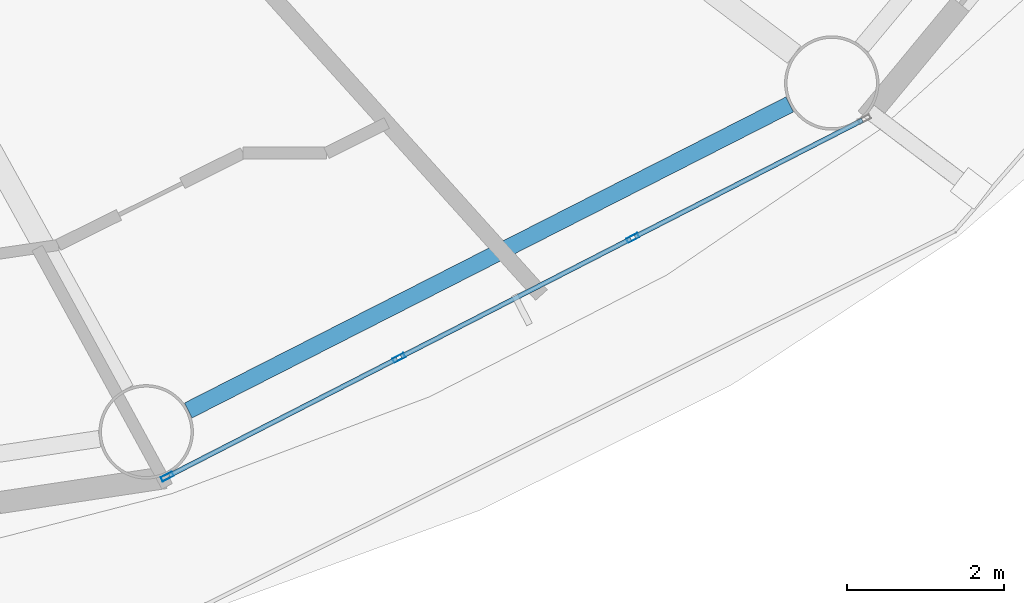
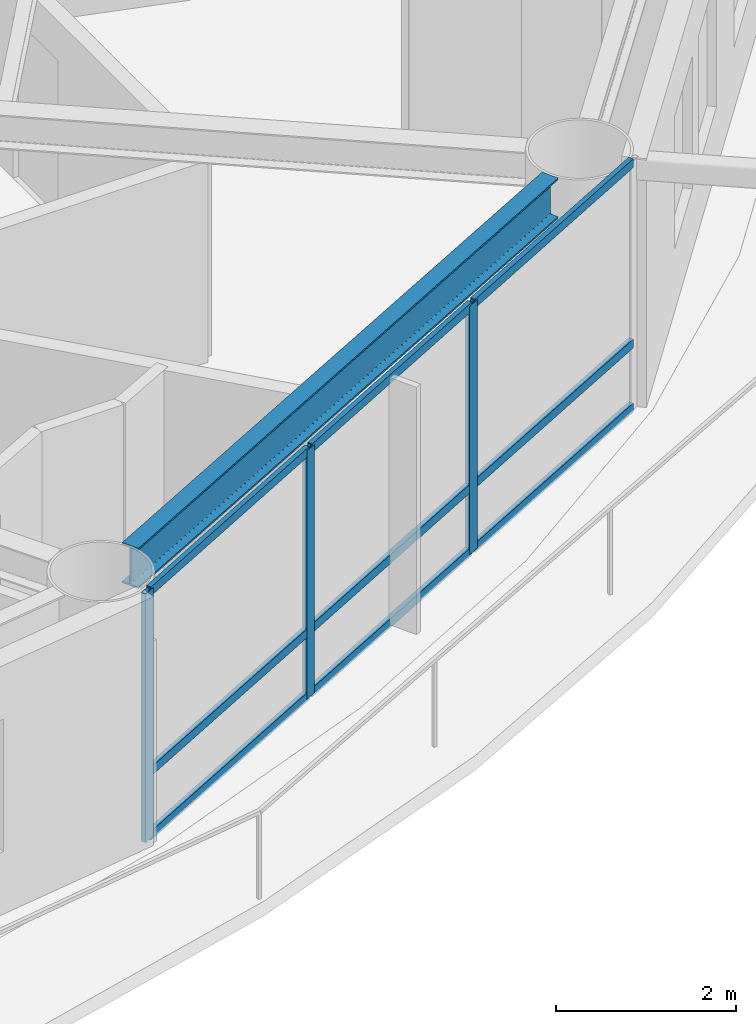
# One storey, part 5 of 27: 12 members, 1 beam, 1 element without a shape of its own.
"""IFC4 building model written with IfcOpenShell, lengths in metres."""

from ifc_helpers import new_model, si_unit, direction, frame, origin, origin_2d, place, context, subcontext, project, spatial, hollow_rectangle, i_section, extrude, material, layer, layer_set, material_profile, profile_set, type_object, element, aggregate, save


model = new_model("IFC4")

# Units and contexts
model_context = context("Model", 3, precision=1e-05, world=origin(), true_north=direction((0.0, 1.0)))
body_context = subcontext(model_context, "Body", "Model", "MODEL_VIEW")
ifc_project = project(units=[si_unit("LENGTHUNIT", "METRE"), si_unit("AREAUNIT", "SQUARE_METRE"), si_unit("VOLUMEUNIT", "CUBIC_METRE"), si_unit("PLANEANGLEUNIT", "RADIAN"), si_unit("MASSUNIT", "GRAM", prefix="KILO")], contexts=[model_context])

# Site, building, storey
site_placement = place(None, origin())
site = spatial("IfcSite", under=ifc_project, at=site_placement, CompositionType="ELEMENT")
building_placement = place(site_placement, origin())
building = spatial("IfcBuilding", under=site, at=building_placement, Name="Sarneth Arch Tower", CompositionType="ELEMENT")
storey_placement = place(building_placement, frame((0.0, 0.0, 186.60009765625)))
storey = spatial("IfcBuildingStorey", under=building, at=storey_placement, Name="L47", CompositionType="ELEMENT", Elevation=186.60009765625)

# Beam
ifc_material_1 = material(Name="Steel S355", Category="steel")
ifc_material_profile_1 = material_profile(ifc_material_1, i_section(OverallWidth=0.214111328125, OverallDepth=0.549072265625, WebThickness=0.0146484375, FlangeThickness=0.023681640625, FilletRadius=0.01806640625, at=origin_2d()), Name="W530x138")
ifc_profile_set_1 = profile_set([ifc_material_profile_1], Name="Steel S355")
beam_type = type_object("IfcBeamType", Name="BM-RAD-530A", PredefinedType="BEAM", material=ifc_profile_set_1)
beam_placement = place(storey_placement, frame((58.95654296875, 23.378662109375, 3.10546875), z_axis=(0.891250372735, 0.453511601945, 0.0), x_axis=(-0.453511601945, 0.891250372735, 0.0)))
element("IfcBeam", 1, at=beam_placement, inside=storey, type_object=beam_type, Name="L47 Perimeter spandrel beam 14", PredefinedType="BEAM", context=body_context, shape_type="SweptSolid", body=[
    extrude(i_section(OverallWidth=0.214111328125, OverallDepth=0.549072265625, WebThickness=0.0146484375, FlangeThickness=0.023681640625, FilletRadius=0.01806640625, at=origin_2d()), origin(), (0.0, 0.0, 1.0), 8.5751953125),
])

# Curtain wall, members
ifc_material_2 = material(Name="Anodised aluminium Type AA25 and solar-control low-e laminated IGU", Category="aluminium")
ifc_layer = layer(ifc_material_2, 0.169921875)
ifc_layer_set = layer_set([ifc_layer], Name="Anodised aluminium Type AA25 and solar-control low-e laminated IGU")
curtain_wall_type = type_object("IfcCurtainWallType", Name="CW-RES-MID", PredefinedType="NOTDEFINED", material=ifc_layer_set)
curtain_wall_placement = place(storey_placement, origin())
curtain_wall = element("IfcCurtainWall", 2, at=curtain_wall_placement, inside=storey, type_object=curtain_wall_type, Name="L47 Unitised curtain wall facet 14", PredefinedType="NOTDEFINED")
ifc_material_3 = material(Name="Anodised Aluminium 6063-T6", Category="aluminium")
ifc_material_profile_2 = material_profile(ifc_material_3, hollow_rectangle(XDim=0.06005859375, YDim=0.159912109375, WallThickness=0.00390625, at=origin_2d()), Name="AL-MULL-160x60x4")
ifc_profile_set_2 = profile_set([ifc_material_profile_2], Name="Anodised Aluminium 6063-T6")
member_type_1 = type_object("IfcMemberType", Name="CW-MULLION", PredefinedType="MULLION", material=ifc_profile_set_2)
member_1_placement = place(storey_placement, frame((58.689453125, 22.538330078125, 0.0), z_axis=(0.0, 0.0, 1.0), x_axis=(-0.456208470329, 0.88987293003, 0.0)))
member_1 = element("IfcMember", 3, at=member_1_placement, type_object=member_type_1, Name="CW-SYS-5 mullion 1", PredefinedType="MULLION", context=body_context, shape_type="SweptSolid", body=[
    extrude(hollow_rectangle(XDim=0.06005859375, YDim=0.159912109375, WallThickness=0.00390625, at=origin_2d()), origin(), (0.0, 0.0, 1.0), 3.3798828125),
])
member_2_placement = place(storey_placement, frame((61.634033203125, 24.0478515625, 0.0), z_axis=(0.0, 0.0, 1.0), x_axis=(-0.456208470329, 0.88987293003, 0.0)))
member_2 = element("IfcMember", 4, at=member_2_placement, type_object=member_type_1, Name="CW-SYS-5 mullion 2", PredefinedType="MULLION", context=body_context, shape_type="SweptSolid", body=[
    extrude(hollow_rectangle(XDim=0.06005859375, YDim=0.159912109375, WallThickness=0.00390625, at=origin_2d()), origin(), (0.0, 0.0, 1.0), 3.3798828125),
])
member_3_placement = place(storey_placement, frame((64.60498046875, 25.571044921875, 0.0), z_axis=(0.0, 0.0, 1.0), x_axis=(-0.456208470329, 0.88987293003, 0.0)))
member_3 = element("IfcMember", 5, at=member_3_placement, type_object=member_type_1, Name="CW-SYS-5 mullion 3", PredefinedType="MULLION", context=body_context, shape_type="SweptSolid", body=[
    extrude(hollow_rectangle(XDim=0.06005859375, YDim=0.159912109375, WallThickness=0.00390625, at=origin_2d()), origin(), (0.0, 0.0, 1.0), 3.3798828125),
])
ifc_material_4 = material(Name="Anodised Aluminium 6063-T6", Category="aluminium")
ifc_material_profile_3 = material_profile(ifc_material_4, hollow_rectangle(XDim=0.06005859375, YDim=0.1201171875, WallThickness=0.00390625, at=origin_2d()), Name="AL-TRAN-120x60x4")
ifc_profile_set_3 = profile_set([ifc_material_profile_3], Name="Anodised Aluminium 6063-T6")
member_type_2 = type_object("IfcMemberType", Name="CW-TRANSOM", PredefinedType="USERDEFINED", material=ifc_profile_set_3)
member_4_placement = place(storey_placement, frame((58.71630859375, 22.552001953125, 0.02978515625), z_axis=(0.889857362344, 0.456238835131, 0.0), x_axis=(-0.456238835131, 0.889857362344, 0.0)))
member_4 = element("IfcMember", 6, at=member_4_placement, type_object=member_type_2, Name="CW-SYS-5 transom 1.1", ObjectType="TRANSOM", PredefinedType="USERDEFINED", context=body_context, shape_type="SweptSolid", body=[
    extrude(hollow_rectangle(XDim=0.06005859375, YDim=0.1201171875, WallThickness=0.00390625, at=origin_2d()), origin(), (0.0, 0.0, 1.0), 3.248779296875),
])
member_5_placement = place(storey_placement, frame((58.71630859375, 22.552001953125, 0.89990234375), z_axis=(0.889857362344, 0.456238835131, 0.0), x_axis=(-0.456238835131, 0.889857362344, 0.0)))
member_5 = element("IfcMember", 7, at=member_5_placement, type_object=member_type_2, Name="CW-SYS-5 transom 1.2", ObjectType="TRANSOM", PredefinedType="USERDEFINED", context=body_context, shape_type="SweptSolid", body=[
    extrude(hollow_rectangle(XDim=0.06005859375, YDim=0.1201171875, WallThickness=0.00390625, at=origin_2d()), origin(), (0.0, 0.0, 1.0), 3.248779296875),
])
member_6_placement = place(storey_placement, frame((58.71630859375, 22.552001953125, 3.349853515625), z_axis=(0.889857362344, 0.456238835131, 0.0), x_axis=(-0.456238835131, 0.889857362344, 0.0)))
member_6 = element("IfcMember", 8, at=member_6_placement, type_object=member_type_2, Name="CW-SYS-5 transom 1.3", ObjectType="TRANSOM", PredefinedType="USERDEFINED", context=body_context, shape_type="SweptSolid", body=[
    extrude(hollow_rectangle(XDim=0.06005859375, YDim=0.1201171875, WallThickness=0.00390625, at=origin_2d()), origin(), (0.0, 0.0, 1.0), 3.248779296875),
])
member_7_placement = place(storey_placement, frame((61.66064453125, 24.0615234375, 0.02978515625), z_axis=(0.889869396751, 0.45621536222, 0.0), x_axis=(-0.45621536222, 0.889869396751, 0.0)))
member_7 = element("IfcMember", 9, at=member_7_placement, type_object=member_type_2, Name="CW-SYS-5 transom 2.1", ObjectType="TRANSOM", PredefinedType="USERDEFINED", context=body_context, shape_type="SweptSolid", body=[
    extrude(hollow_rectangle(XDim=0.06005859375, YDim=0.1201171875, WallThickness=0.00390625, at=origin_2d()), origin(), (0.0, 0.0, 1.0), 3.27880859375),
])
member_8_placement = place(storey_placement, frame((61.66064453125, 24.0615234375, 0.89990234375), z_axis=(0.889869396751, 0.45621536222, 0.0), x_axis=(-0.45621536222, 0.889869396751, 0.0)))
member_8 = element("IfcMember", 10, at=member_8_placement, type_object=member_type_2, Name="CW-SYS-5 transom 2.2", ObjectType="TRANSOM", PredefinedType="USERDEFINED", context=body_context, shape_type="SweptSolid", body=[
    extrude(hollow_rectangle(XDim=0.06005859375, YDim=0.1201171875, WallThickness=0.00390625, at=origin_2d()), origin(), (0.0, 0.0, 1.0), 3.27880859375),
])
member_9_placement = place(storey_placement, frame((61.66064453125, 24.0615234375, 3.349853515625), z_axis=(0.889869396751, 0.45621536222, 0.0), x_axis=(-0.45621536222, 0.889869396751, 0.0)))
member_9 = element("IfcMember", 11, at=member_9_placement, type_object=member_type_2, Name="CW-SYS-5 transom 2.3", ObjectType="TRANSOM", PredefinedType="USERDEFINED", context=body_context, shape_type="SweptSolid", body=[
    extrude(hollow_rectangle(XDim=0.06005859375, YDim=0.1201171875, WallThickness=0.00390625, at=origin_2d()), origin(), (0.0, 0.0, 1.0), 3.27880859375),
])
member_10_placement = place(storey_placement, frame((64.6318359375, 25.584716796875, 0.02978515625), z_axis=(0.889857362344, 0.456238835131, 0.0), x_axis=(-0.456238835131, 0.889857362344, 0.0)))
member_10 = element("IfcMember", 12, at=member_10_placement, type_object=member_type_2, Name="CW-SYS-5 transom 3.1", ObjectType="TRANSOM", PredefinedType="USERDEFINED", context=body_context, shape_type="SweptSolid", body=[
    extrude(hollow_rectangle(XDim=0.06005859375, YDim=0.1201171875, WallThickness=0.00390625, at=origin_2d()), origin(), (0.0, 0.0, 1.0), 3.248779296875),
])
member_11_placement = place(storey_placement, frame((64.6318359375, 25.584716796875, 0.89990234375), z_axis=(0.889857362344, 0.456238835131, 0.0), x_axis=(-0.456238835131, 0.889857362344, 0.0)))
member_11 = element("IfcMember", 13, at=member_11_placement, type_object=member_type_2, Name="CW-SYS-5 transom 3.2", ObjectType="TRANSOM", PredefinedType="USERDEFINED", context=body_context, shape_type="SweptSolid", body=[
    extrude(hollow_rectangle(XDim=0.06005859375, YDim=0.1201171875, WallThickness=0.00390625, at=origin_2d()), origin(), (0.0, 0.0, 1.0), 3.248779296875),
])
member_12_placement = place(storey_placement, frame((64.6318359375, 25.584716796875, 3.349853515625), z_axis=(0.889857362344, 0.456238835131, 0.0), x_axis=(-0.456238835131, 0.889857362344, 0.0)))
member_12 = element("IfcMember", 14, at=member_12_placement, type_object=member_type_2, Name="CW-SYS-5 transom 3.3", ObjectType="TRANSOM", PredefinedType="USERDEFINED", context=body_context, shape_type="SweptSolid", body=[
    extrude(hollow_rectangle(XDim=0.06005859375, YDim=0.1201171875, WallThickness=0.00390625, at=origin_2d()), origin(), (0.0, 0.0, 1.0), 3.248779296875),
])
aggregate(curtain_wall, [member_1, member_2, member_3, member_4, member_5, member_6, member_7, member_8, member_9, member_10, member_11, member_12])

save(model, "model.ifc")
